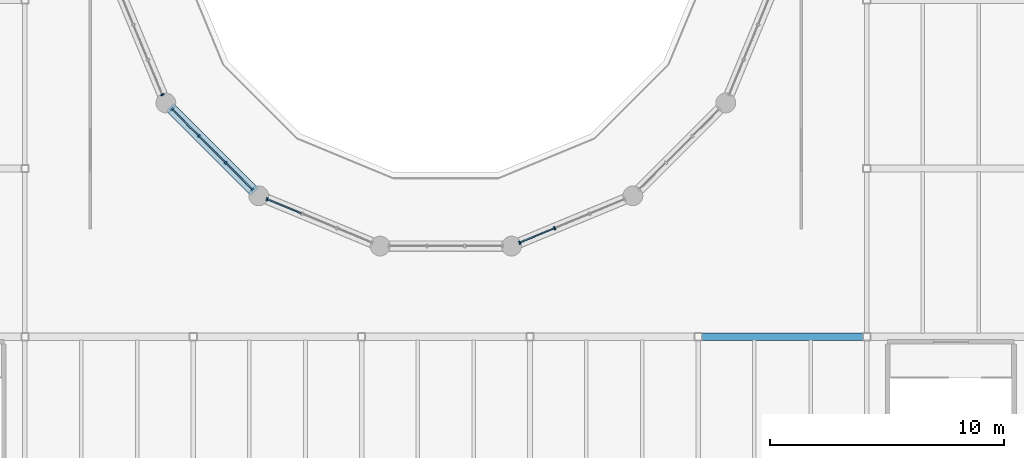
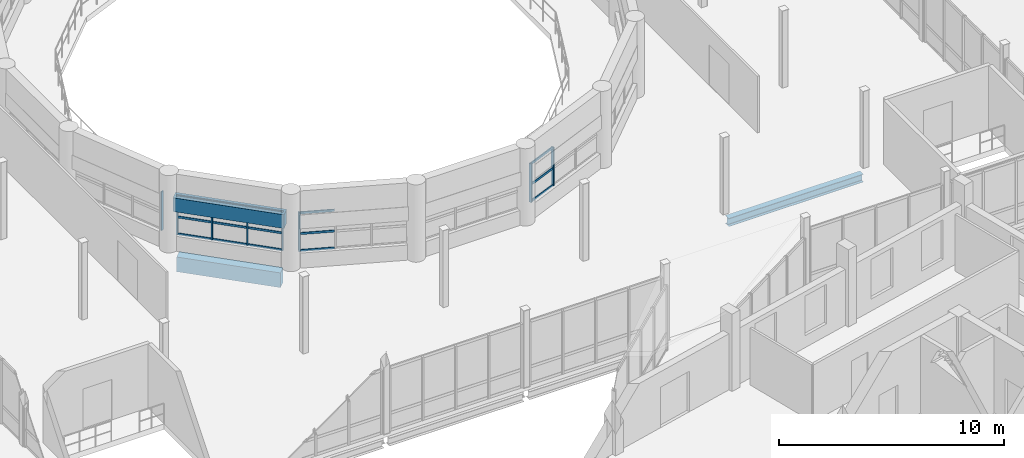
# One storey, part 21 of 63: 23 members, 3 beams, 4 elements without a shape of their own.
"""IFC4 building model written with IfcOpenShell, lengths in metres."""

from ifc_helpers import new_model, si_unit, direction, frame, origin, origin_2d, place, context, subcontext, project, spatial, rectangle, i_section, extrude, material, material_profile, profile_set, type_object, element, aggregate, save


model = new_model("IFC4")

# Units and contexts
model_context = context("Model", 3, precision=1e-05, world=origin(), true_north=direction((0.0, 1.0)))
body_context = subcontext(model_context, "Body", "Model", "MODEL_VIEW")
ifc_project = project(units=[si_unit("LENGTHUNIT", "METRE"), si_unit("AREAUNIT", "SQUARE_METRE"), si_unit("VOLUMEUNIT", "CUBIC_METRE"), si_unit("PLANEANGLEUNIT", "RADIAN"), si_unit("MASSUNIT", "GRAM", prefix="KILO")], contexts=[model_context])

# Site, building, storey
site_placement = place(None, origin())
site = spatial("IfcSite", under=ifc_project, at=site_placement, CompositionType="ELEMENT")
building_placement = place(site_placement, origin())
building = spatial("IfcBuilding", under=site, at=building_placement, Name="Qiaolan Assembly House", CompositionType="ELEMENT")
storey_placement = place(building_placement, frame((0.0, 0.0, 14.39990234375)))
storey = spatial("IfcBuildingStorey", under=building, at=storey_placement, Name="L03", CompositionType="ELEMENT", Elevation=14.39990234375)

# Beams
ifc_material_1 = material(Name="Concrete C40/50", Category="concrete")
ifc_material_profile_1 = material_profile(ifc_material_1, rectangle(XDim=0.449951171875, YDim=0.75, at=origin_2d()), Name="RCB 450x750")
ifc_profile_set_1 = profile_set([ifc_material_profile_1], Name="Concrete C40/50")
beam_type_1 = type_object("IfcBeamType", Name="BM-RC-450x750", PredefinedType="BEAM", material=ifc_profile_set_1)
beam_1_placement = place(storey_placement, frame((60.222900390625, 49.403564453125, 2.525146484375), z_axis=(-0.707106781187, 0.707106781187, 0.0), x_axis=(-0.707106781187, -0.707106781187, 0.0)))
element("IfcBeam", 1, at=beam_1_placement, inside=storey, type_object=beam_type_1, Name="GB-04 drum clerestory lintel beam 10 L03", PredefinedType="BEAM", context=body_context, shape_type="SweptSolid", body=[
    extrude(rectangle(XDim=0.449951171875, YDim=0.75, at=origin_2d()), origin(), (0.0, 0.0, 1.0), 5.11865234375),
])
ifc_material_profile_2 = material_profile(ifc_material_1, rectangle(XDim=0.449951171875, YDim=0.800048828125, at=origin_2d()), Name="RCB 450x800")
ifc_profile_set_2 = profile_set([ifc_material_profile_2], Name="Concrete C40/50")
beam_type_2 = type_object("IfcBeamType", Name="BM-RC-450x800", PredefinedType="BEAM", material=ifc_profile_set_2)
beam_2_placement = place(storey_placement, frame((56.72021484375, 52.90625, -0.68994140625), z_axis=(0.707132272157, -0.707081289297, 0.0), x_axis=(0.707081289297, 0.707132272157, 0.0)))
element("IfcBeam", 2, at=beam_2_placement, inside=storey, type_object=beam_type_2, Name="GB-03 beam BM-DRUM-L03-09", PredefinedType="BEAM", context=body_context, shape_type="SweptSolid", body=[
    extrude(rectangle(XDim=0.449951171875, YDim=0.800048828125, at=origin_2d()), origin(), (0.0, 0.0, 1.0), 4.78857421875),
])
ifc_material_2 = material(Name="Steel Q355B", Category="steel")
ifc_material_profile_3 = material_profile(ifc_material_2, i_section(OverallWidth=0.300048828125, OverallDepth=0.43994140625, WebThickness=0.010986328125, FlangeThickness=0.01806640625, FilletRadius=0.02001953125, at=origin_2d()), Name="HM 440x300x11x18")
ifc_profile_set_3 = profile_set([ifc_material_profile_3], Name="Steel Q355B")
beam_type_3 = type_object("IfcBeamType", Name="BM-STL-HM440", PredefinedType="BEAM", material=ifc_profile_set_3)
beam_3_placement = place(storey_placement, frame((79.340087890625, 43.199951171875, -0.52001953125), z_axis=(1.0, 0.0, 0.0), x_axis=(0.0, 1.0, 0.0)))
element("IfcBeam", 3, at=beam_3_placement, inside=storey, type_object=beam_type_3, Name="SB-06 beam BMX-HLC-L03-05-01", PredefinedType="BEAM", context=body_context, shape_type="SweptSolid", body=[
    extrude(i_section(OverallWidth=0.300048828125, OverallDepth=0.43994140625, WebThickness=0.010986328125, FlangeThickness=0.01806640625, FilletRadius=0.02001953125, at=origin_2d()), origin(), (0.0, 0.0, 1.0), 6.919921875),
])

# Curtain wall, member
ifc_material_3 = material(Name="Anodised bronze aluminium", Category="aluminium")
curtain_wall_type = type_object("IfcCurtainWallType", Name="CW-DRUM-CLERESTORY", PredefinedType="NOTDEFINED", material=ifc_material_3)
curtain_wall_1_placement = place(storey_placement, origin())
curtain_wall_1 = element("IfcCurtainWall", 4, at=curtain_wall_1_placement, inside=storey, type_object=curtain_wall_type, Name="CW-06 Council Chamber Drum Clerestory Curtain Wall 9", PredefinedType="NOTDEFINED")
ifc_material_profile_4 = material_profile(ifc_material_3, rectangle(XDim=0.06591796875, YDim=0.14501953125, at=origin_2d()), Name="MUL 66x145")
ifc_profile_set_4 = profile_set([ifc_material_profile_4], Name="Anodised bronze aluminium")
member_type_1 = type_object("IfcMemberType", Name="CW-DRUM-CLERESTORY-MUL", PredefinedType="MULLION", material=ifc_profile_set_4)
member_1_placement = place(storey_placement, frame((56.281494140625, 53.55078125, 0.800048828125), z_axis=(0.0, 0.0, 1.0), x_axis=(-0.382683415031, 0.923879539691, 0.0)))
member_1 = element("IfcMember", 5, at=member_1_placement, type_object=member_type_1, Name="ML-07 mullion CW-DRUM-CLER-08-1", PredefinedType="MULLION", context=body_context, shape_type="SweptSolid", body=[
    extrude(rectangle(XDim=0.06591796875, YDim=0.14501953125, at=origin_2d()), origin(), (0.0, 0.0, 1.0), 2.10009765625),
])
aggregate(curtain_wall_1, [member_1])

# Curtain wall, members
curtain_wall_2_placement = place(storey_placement, origin())
curtain_wall_2 = element("IfcCurtainWall", 6, at=curtain_wall_2_placement, inside=storey, type_object=curtain_wall_type, Name="CW-06 Council Chamber Drum Clerestory Curtain Wall 10", PredefinedType="NOTDEFINED")
member_2_placement = place(storey_placement, frame((60.131103515625, 49.49560546875, 0.800048828125), z_axis=(0.0, 0.0, 1.0), x_axis=(-0.707106781187, 0.707106781187, 0.0)))
member_2 = element("IfcMember", 7, at=member_2_placement, type_object=member_type_1, Name="ML-07 mullion CW-DRUM-CLER-09-1", PredefinedType="MULLION", context=body_context, shape_type="SweptSolid", body=[
    extrude(rectangle(XDim=0.06591796875, YDim=0.14501953125, at=origin_2d()), origin(), (0.0, 0.0, 1.0), 2.10009765625),
])
member_3_placement = place(storey_placement, frame((58.98583984375, 50.640625, 0.800048828125), z_axis=(0.0, 0.0, 1.0), x_axis=(-0.707106781187, 0.707106781187, 0.0)))
member_3 = element("IfcMember", 8, at=member_3_placement, type_object=member_type_1, Name="ML-07 mullion CW-DRUM-CLER-09-2", PredefinedType="MULLION", context=body_context, shape_type="SweptSolid", body=[
    extrude(rectangle(XDim=0.06591796875, YDim=0.14501953125, at=origin_2d()), origin(), (0.0, 0.0, 1.0), 2.10009765625),
])
member_4_placement = place(storey_placement, frame((57.840576171875, 51.785888671875, 0.800048828125), z_axis=(0.0, 0.0, 1.0), x_axis=(-0.707106781187, 0.707106781187, 0.0)))
member_4 = element("IfcMember", 9, at=member_4_placement, type_object=member_type_1, Name="ML-07 mullion CW-DRUM-CLER-09-3", PredefinedType="MULLION", context=body_context, shape_type="SweptSolid", body=[
    extrude(rectangle(XDim=0.06591796875, YDim=0.14501953125, at=origin_2d()), origin(), (0.0, 0.0, 1.0), 2.10009765625),
])
member_5_placement = place(storey_placement, frame((56.695556640625, 52.93115234375, 0.800048828125), z_axis=(0.0, 0.0, 1.0), x_axis=(-0.707106781187, 0.707106781187, 0.0)))
member_5 = element("IfcMember", 10, at=member_5_placement, type_object=member_type_1, Name="ML-07 mullion CW-DRUM-CLER-09-4", PredefinedType="MULLION", context=body_context, shape_type="SweptSolid", body=[
    extrude(rectangle(XDim=0.06591796875, YDim=0.14501953125, at=origin_2d()), origin(), (0.0, 0.0, 1.0), 2.10009765625),
])

# Curtain wall, member
curtain_wall_3_placement = place(storey_placement, origin())
curtain_wall_3 = element("IfcCurtainWall", 11, at=curtain_wall_3_placement, inside=storey, type_object=curtain_wall_type, Name="CW-06 Council Chamber Drum Clerestory Curtain Wall 11", PredefinedType="NOTDEFINED")
member_6_placement = place(storey_placement, frame((60.7509765625, 49.081298828125, 0.800048828125), z_axis=(0.0, 0.0, 1.0), x_axis=(-0.923879539691, 0.382683415031, 0.0)))
member_6 = element("IfcMember", 12, at=member_6_placement, type_object=member_type_1, Name="ML-07 mullion CW-DRUM-CLER-10-4", PredefinedType="MULLION", context=body_context, shape_type="SweptSolid", body=[
    extrude(rectangle(XDim=0.06591796875, YDim=0.14501953125, at=origin_2d()), origin(), (0.0, 0.0, 1.0), 2.10009765625),
])

# Curtain wall, members
curtain_wall_4_placement = place(storey_placement, origin())
curtain_wall_4 = element("IfcCurtainWall", 13, at=curtain_wall_4_placement, inside=storey, type_object=curtain_wall_type, Name="CW-06 Council Chamber Drum Clerestory Curtain Wall 13", PredefinedType="NOTDEFINED")
member_7_placement = place(storey_placement, frame((73.056640625, 47.841796875, 0.800048828125), z_axis=(0.0, 0.0, 1.0), x_axis=(-0.923879539691, -0.382683415031, 0.0)))
member_7 = element("IfcMember", 14, at=member_7_placement, type_object=member_type_1, Name="ML-07 mullion CW-DRUM-CLER-12-3", PredefinedType="MULLION", context=body_context, shape_type="SweptSolid", body=[
    extrude(rectangle(XDim=0.06591796875, YDim=0.14501953125, at=origin_2d()), origin(), (0.0, 0.0, 1.0), 2.10009765625),
])
member_8_placement = place(storey_placement, frame((71.560302734375, 47.22216796875, 0.800048828125), z_axis=(0.0, 0.0, 1.0), x_axis=(-0.923879539691, -0.382683415031, 0.0)))
member_8 = element("IfcMember", 15, at=member_8_placement, type_object=member_type_1, Name="ML-07 mullion CW-DRUM-CLER-12-4", PredefinedType="MULLION", context=body_context, shape_type="SweptSolid", body=[
    extrude(rectangle(XDim=0.06591796875, YDim=0.14501953125, at=origin_2d()), origin(), (0.0, 0.0, 1.0), 2.10009765625),
])

# Member
ifc_material_profile_5 = material_profile(ifc_material_3, rectangle(XDim=0.05810546875, YDim=0.114990234375, at=origin_2d()), Name="TRN 58x115")
ifc_profile_set_5 = profile_set([ifc_material_profile_5], Name="Anodised bronze aluminium")
member_type_2 = type_object("IfcMemberType", Name="CW-DRUM-CLERESTORY-TRN", PredefinedType="USERDEFINED", material=ifc_profile_set_5)
member_9_placement = place(storey_placement, frame((60.107666015625, 49.518798828125, 0.830078125), z_axis=(-0.70702820067, 0.707185352971, 0.0), x_axis=(-0.707185352971, -0.70702820067, 0.0)))
member_9 = element("IfcMember", 16, at=member_9_placement, type_object=member_type_2, Name="TR-07 transom CW-DRUM-CLER-09-1-1", ObjectType="TRANSOM", PredefinedType="USERDEFINED", context=body_context, shape_type="SweptSolid", body=[
    extrude(rectangle(XDim=0.05810546875, YDim=0.114990234375, at=origin_2d()), origin(), (0.0, 0.0, 1.0), 1.553466796875),
])

member_10_placement = place(storey_placement, frame((60.107666015625, 49.518798828125, 1.75), z_axis=(-0.70702820067, 0.707185352971, 0.0), x_axis=(-0.707185352971, -0.70702820067, 0.0)))
member_10 = element("IfcMember", 17, at=member_10_placement, type_object=member_type_2, Name="TR-07 transom CW-DRUM-CLER-09-1-2", ObjectType="TRANSOM", PredefinedType="USERDEFINED", context=body_context, shape_type="SweptSolid", body=[
    extrude(rectangle(XDim=0.05810546875, YDim=0.114990234375, at=origin_2d()), origin(), (0.0, 0.0, 1.0), 1.553466796875),
])

member_11_placement = place(storey_placement, frame((60.107666015625, 49.518798828125, 2.8701171875), z_axis=(-0.70702820067, 0.707185352971, 0.0), x_axis=(-0.707185352971, -0.70702820067, 0.0)))
member_11 = element("IfcMember", 18, at=member_11_placement, type_object=member_type_2, Name="TR-07 transom CW-DRUM-CLER-09-1-3", ObjectType="TRANSOM", PredefinedType="USERDEFINED", context=body_context, shape_type="SweptSolid", body=[
    extrude(rectangle(XDim=0.05810546875, YDim=0.114990234375, at=origin_2d()), origin(), (0.0, 0.0, 1.0), 1.553466796875),
])

member_12_placement = place(storey_placement, frame((58.962646484375, 50.6640625, 0.830078125), z_axis=(-0.707106781187, 0.707106781187, 0.0), x_axis=(-0.707106781187, -0.707106781187, 0.0)))
member_12 = element("IfcMember", 19, at=member_12_placement, type_object=member_type_2, Name="TR-07 transom CW-DRUM-CLER-09-2-1", ObjectType="TRANSOM", PredefinedType="USERDEFINED", context=body_context, shape_type="SweptSolid", body=[
    extrude(rectangle(XDim=0.05810546875, YDim=0.114990234375, at=origin_2d()), origin(), (0.0, 0.0, 1.0), 1.5537109375),
])

member_13_placement = place(storey_placement, frame((58.962646484375, 50.6640625, 1.75), z_axis=(-0.707106781187, 0.707106781187, 0.0), x_axis=(-0.707106781187, -0.707106781187, 0.0)))
member_13 = element("IfcMember", 20, at=member_13_placement, type_object=member_type_2, Name="TR-07 transom CW-DRUM-CLER-09-2-2", ObjectType="TRANSOM", PredefinedType="USERDEFINED", context=body_context, shape_type="SweptSolid", body=[
    extrude(rectangle(XDim=0.05810546875, YDim=0.114990234375, at=origin_2d()), origin(), (0.0, 0.0, 1.0), 1.5537109375),
])

member_14_placement = place(storey_placement, frame((58.962646484375, 50.6640625, 2.8701171875), z_axis=(-0.707106781187, 0.707106781187, 0.0), x_axis=(-0.707106781187, -0.707106781187, 0.0)))
member_14 = element("IfcMember", 21, at=member_14_placement, type_object=member_type_2, Name="TR-07 transom CW-DRUM-CLER-09-2-3", ObjectType="TRANSOM", PredefinedType="USERDEFINED", context=body_context, shape_type="SweptSolid", body=[
    extrude(rectangle(XDim=0.05810546875, YDim=0.114990234375, at=origin_2d()), origin(), (0.0, 0.0, 1.0), 1.5537109375),
])

member_15_placement = place(storey_placement, frame((57.8173828125, 51.809326171875, 0.830078125), z_axis=(-0.707106781187, 0.707106781187, 0.0), x_axis=(-0.707106781187, -0.707106781187, 0.0)))
member_15 = element("IfcMember", 22, at=member_15_placement, type_object=member_type_2, Name="TR-07 transom CW-DRUM-CLER-09-3-1", ObjectType="TRANSOM", PredefinedType="USERDEFINED", context=body_context, shape_type="SweptSolid", body=[
    extrude(rectangle(XDim=0.05810546875, YDim=0.114990234375, at=origin_2d()), origin(), (0.0, 0.0, 1.0), 1.553466796875),
])

member_16_placement = place(storey_placement, frame((57.8173828125, 51.809326171875, 1.75), z_axis=(-0.707106781187, 0.707106781187, 0.0), x_axis=(-0.707106781187, -0.707106781187, 0.0)))
member_16 = element("IfcMember", 23, at=member_16_placement, type_object=member_type_2, Name="TR-07 transom CW-DRUM-CLER-09-3-2", ObjectType="TRANSOM", PredefinedType="USERDEFINED", context=body_context, shape_type="SweptSolid", body=[
    extrude(rectangle(XDim=0.05810546875, YDim=0.114990234375, at=origin_2d()), origin(), (0.0, 0.0, 1.0), 1.553466796875),
])

member_17_placement = place(storey_placement, frame((57.8173828125, 51.809326171875, 2.8701171875), z_axis=(-0.707106781187, 0.707106781187, 0.0), x_axis=(-0.707106781187, -0.707106781187, 0.0)))
member_17 = element("IfcMember", 24, at=member_17_placement, type_object=member_type_2, Name="TR-07 transom CW-DRUM-CLER-09-3-3", ObjectType="TRANSOM", PredefinedType="USERDEFINED", context=body_context, shape_type="SweptSolid", body=[
    extrude(rectangle(XDim=0.05810546875, YDim=0.114990234375, at=origin_2d()), origin(), (0.0, 0.0, 1.0), 1.553466796875),
])

aggregate(curtain_wall_2, [member_2, member_3, member_4, member_5, member_9, member_10, member_11, member_12, member_13, member_14, member_15, member_16, member_17])

member_18_placement = place(storey_placement, frame((62.216552734375, 48.474365234375, 0.830078125), z_axis=(-0.923888507225, 0.382661764772, 0.0), x_axis=(-0.382661764772, -0.923888507225, 0.0)))
member_18 = element("IfcMember", 25, at=member_18_placement, type_object=member_type_2, Name="TR-07 transom CW-DRUM-CLER-10-3-1", ObjectType="TRANSOM", PredefinedType="USERDEFINED", context=body_context, shape_type="SweptSolid", body=[
    extrude(rectangle(XDim=0.05810546875, YDim=0.114990234375, at=origin_2d()), origin(), (0.0, 0.0, 1.0), 1.553466796875),
])

member_19_placement = place(storey_placement, frame((62.216552734375, 48.474365234375, 1.75), z_axis=(-0.923888507225, 0.382661764772, 0.0), x_axis=(-0.382661764772, -0.923888507225, 0.0)))
member_19 = element("IfcMember", 26, at=member_19_placement, type_object=member_type_2, Name="TR-07 transom CW-DRUM-CLER-10-3-2", ObjectType="TRANSOM", PredefinedType="USERDEFINED", context=body_context, shape_type="SweptSolid", body=[
    extrude(rectangle(XDim=0.05810546875, YDim=0.114990234375, at=origin_2d()), origin(), (0.0, 0.0, 1.0), 1.553466796875),
])

member_20_placement = place(storey_placement, frame((62.216552734375, 48.474365234375, 2.8701171875), z_axis=(-0.923888507225, 0.382661764772, 0.0), x_axis=(-0.382661764772, -0.923888507225, 0.0)))
member_20 = element("IfcMember", 27, at=member_20_placement, type_object=member_type_2, Name="TR-07 transom CW-DRUM-CLER-10-3-3", ObjectType="TRANSOM", PredefinedType="USERDEFINED", context=body_context, shape_type="SweptSolid", body=[
    extrude(rectangle(XDim=0.05810546875, YDim=0.114990234375, at=origin_2d()), origin(), (0.0, 0.0, 1.0), 1.553466796875),
])

aggregate(curtain_wall_3, [member_6, member_18, member_19, member_20])

member_21_placement = place(storey_placement, frame((73.026123046875, 47.829345703125, 0.830078125), z_axis=(-0.9238329423, -0.382795891724, 0.0), x_axis=(0.382795891724, -0.9238329423, 0.0)))
member_21 = element("IfcMember", 28, at=member_21_placement, type_object=member_type_2, Name="TR-07 transom CW-DRUM-CLER-12-3-1", ObjectType="TRANSOM", PredefinedType="USERDEFINED", context=body_context, shape_type="SweptSolid", body=[
    extrude(rectangle(XDim=0.05810546875, YDim=0.114990234375, at=origin_2d()), origin(), (0.0, 0.0, 1.0), 1.5537109375),
])

member_22_placement = place(storey_placement, frame((73.026123046875, 47.829345703125, 1.75), z_axis=(-0.9238329423, -0.382795891724, 0.0), x_axis=(0.382795891724, -0.9238329423, 0.0)))
member_22 = element("IfcMember", 29, at=member_22_placement, type_object=member_type_2, Name="TR-07 transom CW-DRUM-CLER-12-3-2", ObjectType="TRANSOM", PredefinedType="USERDEFINED", context=body_context, shape_type="SweptSolid", body=[
    extrude(rectangle(XDim=0.05810546875, YDim=0.114990234375, at=origin_2d()), origin(), (0.0, 0.0, 1.0), 1.5537109375),
])

member_23_placement = place(storey_placement, frame((73.026123046875, 47.829345703125, 2.8701171875), z_axis=(-0.9238329423, -0.382795891724, 0.0), x_axis=(0.382795891724, -0.9238329423, 0.0)))
member_23 = element("IfcMember", 30, at=member_23_placement, type_object=member_type_2, Name="TR-07 transom CW-DRUM-CLER-12-3-3", ObjectType="TRANSOM", PredefinedType="USERDEFINED", context=body_context, shape_type="SweptSolid", body=[
    extrude(rectangle(XDim=0.05810546875, YDim=0.114990234375, at=origin_2d()), origin(), (0.0, 0.0, 1.0), 1.5537109375),
])

aggregate(curtain_wall_4, [member_7, member_8, member_21, member_22, member_23])

save(model, "model.ifc")
